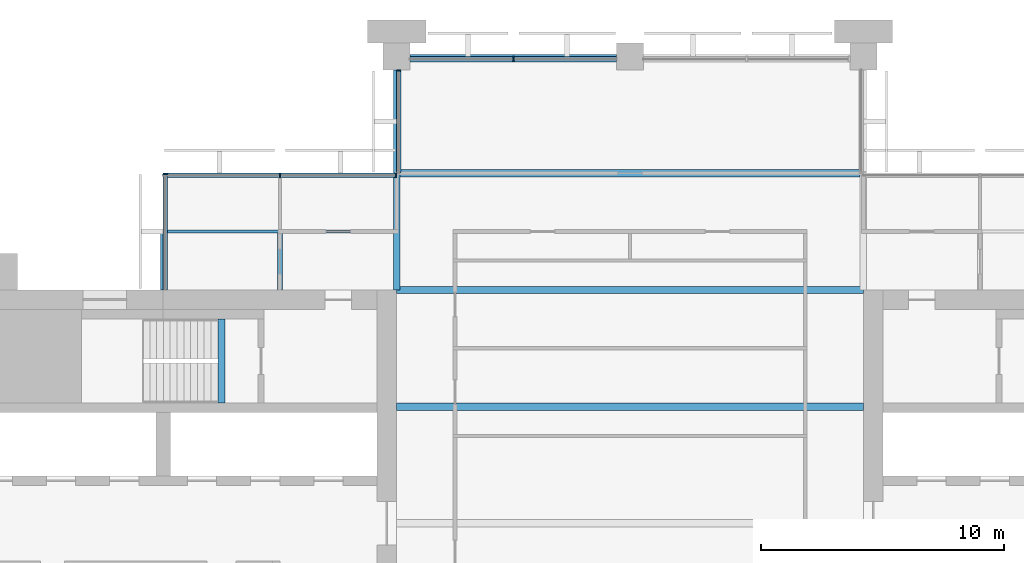
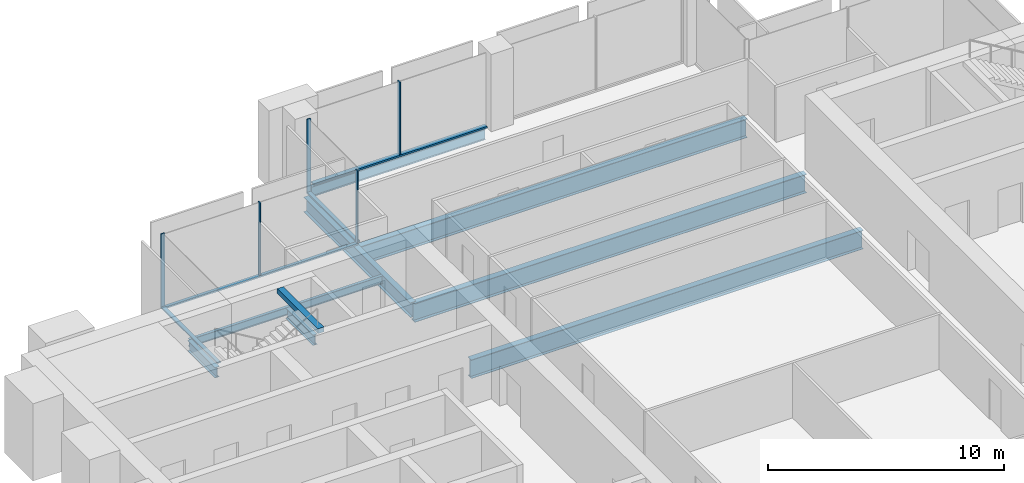
# One storey, part 5 of 13: 9 beams, 9 members, 4 elements without a shape of their own.
"""IFC4 building model written with IfcOpenShell, lengths in metres."""

from ifc_helpers import new_model, si_unit, direction, frame, origin, origin_2d, place, context, subcontext, project, spatial, rectangle, i_section, extrude, material, material_profile, profile_set, type_object, element, aggregate, save


model = new_model("IFC4")

# Units and contexts
model_context = context("Model", 3, precision=1e-05, world=origin(), true_north=direction((0.0, 1.0)))
body_context = subcontext(model_context, "Body", "Model", "MODEL_VIEW")
ifc_project = project(units=[si_unit("LENGTHUNIT", "METRE"), si_unit("AREAUNIT", "SQUARE_METRE"), si_unit("VOLUMEUNIT", "CUBIC_METRE"), si_unit("PLANEANGLEUNIT", "RADIAN"), si_unit("MASSUNIT", "GRAM", prefix="KILO")], contexts=[model_context])

# Site, building, storey
site_placement = place(None, origin())
site = spatial("IfcSite", under=ifc_project, at=site_placement, CompositionType="ELEMENT")
building_placement = place(site_placement, origin())
building = spatial("IfcBuilding", under=site, at=building_placement, Name="Baori Bourse Tower", CompositionType="ELEMENT")
storey_placement = place(building_placement, frame((0.0, 0.0, 241.199951171875)))
storey = spatial("IfcBuildingStorey", under=building, at=storey_placement, Name="L53", CompositionType="ELEMENT", Elevation=241.199951171875)

# Curtain wall, member
ifc_material_1 = material(Name="Pale anodised aluminium", Category="aluminium")
curtain_wall_type_1 = type_object("IfcCurtainWallType", Name="CW2 Curtain wall", PredefinedType="NOTDEFINED", material=ifc_material_1)
curtain_wall_1_placement = place(storey_placement, origin())
curtain_wall_1 = element("IfcCurtainWall", 1, at=curtain_wall_1_placement, inside=storey, type_object=curtain_wall_type_1, Name="Curtain wall CW2 L53 5", PredefinedType="NOTDEFINED")
ifc_material_2 = material(Name="Pale anodised aluminium", Category="aluminium")
ifc_material_profile_1 = material_profile(ifc_material_2, rectangle(XDim=0.179931640625, YDim=0.054931640625, at=origin_2d()), Name="Mullion 55x180")
ifc_profile_set_1 = profile_set([ifc_material_profile_1], Name="Pale anodised aluminium")
member_type_1 = type_object("IfcMemberType", Name="CW2 Curtain wall mullion", PredefinedType="MULLION", material=ifc_profile_set_1)
member_1_placement = place(storey_placement, frame((19.2900390625, 47.422607421875, 0.070068359375), z_axis=(0.0, 0.0, 1.0), x_axis=(1.0, 0.0, 0.0)))
member_1 = element("IfcMember", 2, at=member_1_placement, type_object=member_type_1, Name="Curtain wall CW2 mullion", PredefinedType="MULLION", context=body_context, shape_type="SweptSolid", body=[
    extrude(rectangle(XDim=0.179931640625, YDim=0.054931640625, at=origin_2d()), origin(), (0.0, 0.0, 1.0), 3.77001953125),
])

# Curtain wall, members
curtain_wall_2_placement = place(storey_placement, origin())
curtain_wall_2 = element("IfcCurtainWall", 3, at=curtain_wall_2_placement, inside=storey, type_object=curtain_wall_type_1, Name="Curtain wall CW2 L53 6", PredefinedType="NOTDEFINED")
member_2_placement = place(storey_placement, frame((19.172607421875, 43.110107421875, 0.070068359375), z_axis=(0.0, 0.0, 1.0), x_axis=(0.0, -1.0, 0.0)))
member_2 = element("IfcMember", 4, at=member_2_placement, type_object=member_type_1, Name="Curtain wall CW2 mullion", PredefinedType="MULLION", context=body_context, shape_type="SweptSolid", body=[
    extrude(rectangle(XDim=0.179931640625, YDim=0.054931640625, at=origin_2d()), origin(), (0.0, 0.0, 1.0), 3.77001953125),
])
member_3_placement = place(storey_placement, frame((14.39990234375, 43.110107421875, 0.070068359375), z_axis=(0.0, 0.0, 1.0), x_axis=(0.0, -1.0, 0.0)))
member_3 = element("IfcMember", 5, at=member_3_placement, type_object=member_type_1, Name="Curtain wall CW2 mullion", PredefinedType="MULLION", context=body_context, shape_type="SweptSolid", body=[
    extrude(rectangle(XDim=0.179931640625, YDim=0.054931640625, at=origin_2d()), origin(), (0.0, 0.0, 1.0), 3.77001953125),
])

# Curtain wall, member
curtain_wall_3_placement = place(storey_placement, origin())
curtain_wall_3 = element("IfcCurtainWall", 6, at=curtain_wall_3_placement, inside=storey, type_object=curtain_wall_type_1, Name="Curtain wall CW2 L53 7", PredefinedType="NOTDEFINED")
member_4_placement = place(storey_placement, frame((9.68994140625, 43.172607421875, 0.070068359375), z_axis=(0.0, 0.0, 1.0), x_axis=(1.0, 0.0, 0.0)))
member_4 = element("IfcMember", 7, at=member_4_placement, type_object=member_type_1, Name="Curtain wall CW2 mullion", PredefinedType="MULLION", context=body_context, shape_type="SweptSolid", body=[
    extrude(rectangle(XDim=0.179931640625, YDim=0.054931640625, at=origin_2d()), origin(), (0.0, 0.0, 1.0), 3.77001953125),
])

# Member
ifc_material_3 = material(Name="Pale anodised aluminium", Category="aluminium")
ifc_material_profile_2 = material_profile(ifc_material_3, rectangle(XDim=0.179931640625, YDim=0.070068359375, at=origin_2d()), Name="Transom 70x180")
ifc_profile_set_2 = profile_set([ifc_material_profile_2], Name="Pale anodised aluminium")
member_type_2 = type_object("IfcMemberType", Name="CW2 Curtain wall transom", PredefinedType="USERDEFINED", material=ifc_profile_set_2)
member_5_placement = place(storey_placement, frame((19.2900390625, 47.449951171875, 0.03515625), z_axis=(0.0, -1.0, 0.0), x_axis=(1.0, 0.0, 0.0)))
member_5 = element("IfcMember", 8, at=member_5_placement, type_object=member_type_2, Name="Curtain wall CW2 sill rail", ObjectType="TRANSOM", PredefinedType="USERDEFINED", context=body_context, shape_type="SweptSolid", body=[
    extrude(rectangle(XDim=0.179931640625, YDim=0.070068359375, at=origin_2d()), origin(), (0.0, 0.0, 1.0), 4.25),
])

aggregate(curtain_wall_1, [member_5, member_1])

member_6_placement = place(storey_placement, frame((19.199951171875, 43.110107421875, 0.03515625), z_axis=(-1.0, 0.0, 0.0), x_axis=(0.0, -1.0, 0.0)))
member_6 = element("IfcMember", 9, at=member_6_placement, type_object=member_type_2, Name="Curtain wall CW2 sill rail", ObjectType="TRANSOM", PredefinedType="USERDEFINED", context=body_context, shape_type="SweptSolid", body=[
    extrude(rectangle(XDim=0.179931640625, YDim=0.070068359375, at=origin_2d()), origin(), (0.0, 0.0, 1.0), 9.599853515625),
])

aggregate(curtain_wall_2, [member_6, member_2, member_3])

member_7_placement = place(storey_placement, frame((9.68994140625, 43.199951171875, 0.03515625), z_axis=(0.0, -1.0, 0.0), x_axis=(1.0, 0.0, 0.0)))
member_7 = element("IfcMember", 10, at=member_7_placement, type_object=member_type_2, Name="Curtain wall CW2 sill rail", ObjectType="TRANSOM", PredefinedType="USERDEFINED", context=body_context, shape_type="SweptSolid", body=[
    extrude(rectangle(XDim=0.179931640625, YDim=0.070068359375, at=origin_2d()), origin(), (0.0, 0.0, 1.0), 4.800048828125),
])

aggregate(curtain_wall_3, [member_7, member_4])

# Curtain wall, members
ifc_material_4 = material(Name="Pale anodised aluminium", Category="aluminium")
curtain_wall_type_2 = type_object("IfcCurtainWallType", Name="CW5 Curtain wall", PredefinedType="NOTDEFINED", material=ifc_material_4)
curtain_wall_4_placement = place(storey_placement, origin())
curtain_wall_4 = element("IfcCurtainWall", 11, at=curtain_wall_4_placement, inside=storey, type_object=curtain_wall_type_2, Name="Curtain wall CW5 L53 4", PredefinedType="NOTDEFINED")
ifc_material_5 = material(Name="Pale anodised aluminium", Category="aluminium")
ifc_material_profile_3 = material_profile(ifc_material_5, rectangle(XDim=0.219970703125, YDim=0.06494140625, at=origin_2d()), Name="Mullion 65x220")
ifc_profile_set_3 = profile_set([ifc_material_profile_3], Name="Pale anodised aluminium")
member_type_3 = type_object("IfcMemberType", Name="CW5 Curtain wall mullion", PredefinedType="MULLION", material=ifc_profile_set_3)
member_8_placement = place(storey_placement, frame((24.0, 47.889892578125, 0.0849609375), z_axis=(0.0, 0.0, 1.0), x_axis=(0.0, -1.0, 0.0)))
member_8 = element("IfcMember", 12, at=member_8_placement, type_object=member_type_3, Name="Curtain wall CW5 mullion", PredefinedType="MULLION", context=body_context, shape_type="SweptSolid", body=[
    extrude(rectangle(XDim=0.219970703125, YDim=0.06494140625, at=origin_2d()), origin(), (0.0, 0.0, 1.0), 3.755126953125),
])
ifc_material_6 = material(Name="Pale anodised aluminium", Category="aluminium")
ifc_material_profile_4 = material_profile(ifc_material_6, rectangle(XDim=0.219970703125, YDim=0.0849609375, at=origin_2d()), Name="Transom 85x220")
ifc_profile_set_4 = profile_set([ifc_material_profile_4], Name="Pale anodised aluminium")
member_type_4 = type_object("IfcMemberType", Name="CW5 Curtain wall transom", PredefinedType="USERDEFINED", material=ifc_profile_set_4)
member_9_placement = place(storey_placement, frame((28.25, 47.889892578125, 0.04248046875), z_axis=(-1.0, 0.0, 0.0), x_axis=(0.0, -1.0, 0.0)))
member_9 = element("IfcMember", 13, at=member_9_placement, type_object=member_type_4, Name="Curtain wall CW5 sill rail", ObjectType="TRANSOM", PredefinedType="USERDEFINED", context=body_context, shape_type="SweptSolid", body=[
    extrude(rectangle(XDim=0.219970703125, YDim=0.0849609375, at=origin_2d()), origin(), (0.0, 0.0, 1.0), 8.5),
])
aggregate(curtain_wall_4, [member_9, member_8])

# Beams
ifc_material_7 = material(Name="Steel A992 Gr 50", Category="steel")
ifc_material_profile_5 = material_profile(ifc_material_7, i_section(OverallWidth=0.21240234375, OverallDepth=0.54345703125, WebThickness=0.01318359375, FlangeThickness=0.021240234375, at=origin_2d()), Name="W21x83")
ifc_profile_set_5 = profile_set([ifc_material_profile_5], Name="Steel A992 Gr 50")
beam_type_1 = type_object("IfcBeamType", Name="Core bracket W21x83", PredefinedType="BEAM", material=ifc_profile_set_5)
for number, where, z_axis, x_axis, name in (
    (14, (9.60009765625, 38.39990234375, -0.431640625), (0.0, 1.0, 0.0), (-1.0, 0.0, 0.0), "Core bracket L53"),
    (15, (14.39990234375, 38.39990234375, -0.431640625), (0.0, 1.0, 0.0), (-1.0, 0.0, 0.0), "Core bracket L53"),
):
    element("IfcBeam", number, at=place(storey_placement, frame(where, z_axis=z_axis, x_axis=x_axis)), inside=storey, type_object=beam_type_1, Name=name, PredefinedType="BEAM", context=body_context, shape_type="SweptSolid", body=[
        extrude(i_section(OverallWidth=0.21240234375, OverallDepth=0.54345703125, WebThickness=0.01318359375, FlangeThickness=0.021240234375, at=origin_2d()), origin(), (0.0, 0.0, 1.0), 2.329833984375),
    ])
ifc_material_8 = material(Name="Steel A992 Gr 50", Category="steel")
ifc_material_profile_6 = material_profile(ifc_material_8, i_section(OverallWidth=0.1650390625, OverallDepth=0.52587890625, WebThickness=0.0087890625, FlangeThickness=0.011474609375, at=origin_2d()), Name="W21x44")
ifc_profile_set_6 = profile_set([ifc_material_profile_6], Name="Steel A992 Gr 50")
beam_type_2 = type_object("IfcBeamType", Name="Edge beam W21x44", PredefinedType="BEAM", material=ifc_profile_set_6)
beam_1_placement = place(storey_placement, frame((19.75, 48.0, -0.4228515625), z_axis=(1.0, 0.0, 0.0), x_axis=(0.0, 1.0, 0.0)))
element("IfcBeam", 16, at=beam_1_placement, inside=storey, type_object=beam_type_2, Name="Edge beam L53", PredefinedType="BEAM", context=body_context, shape_type="SweptSolid", body=[
    extrude(i_section(OverallWidth=0.1650390625, OverallDepth=0.52587890625, WebThickness=0.0087890625, FlangeThickness=0.011474609375, at=origin_2d()), origin(), (0.0, 0.0, 1.0), 8.5),
])
ifc_material_9 = material(Name="Steel A992 Gr 50", Category="steel")
ifc_material_profile_7 = material_profile(ifc_material_9, i_section(OverallWidth=0.2998046875, OverallDepth=0.97021484375, WebThickness=0.01611328125, FlangeThickness=0.02099609375, at=origin_2d()), Name="W40x149")
ifc_profile_set_7 = profile_set([ifc_material_profile_7], Name="Steel A992 Gr 50")
beam_type_3 = type_object("IfcBeamType", Name="Floor beam W40x149", PredefinedType="BEAM", material=ifc_profile_set_7)
for number, where, z_axis, x_axis, name in (
    (17, (19.199951171875, 33.60009765625, -0.64501953125), (1.0, 0.0, 0.0), (0.0, 1.0, 0.0), "Floor beam L53"),
    (18, (19.199951171875, 38.39990234375, -0.64501953125), (1.0, 0.0, 0.0), (0.0, 1.0, 0.0), "Floor beam L53"),
):
    element("IfcBeam", number, at=place(storey_placement, frame(where, z_axis=z_axis, x_axis=x_axis)), inside=storey, type_object=beam_type_3, Name=name, PredefinedType="BEAM", context=body_context, shape_type="SweptSolid", body=[
        extrude(i_section(OverallWidth=0.2998046875, OverallDepth=0.97021484375, WebThickness=0.01611328125, FlangeThickness=0.02099609375, at=origin_2d()), origin(), (0.0, 0.0, 1.0), 19.199951171875),
    ])
beam_2_placement = place(storey_placement, frame((19.333251953125, 43.199951171875, -0.64501953125), z_axis=(1.0, 0.0, 0.0), x_axis=(0.0, 1.0, 0.0)))
element("IfcBeam", 19, at=beam_2_placement, inside=storey, type_object=beam_type_3, Name="Floor beam L53", PredefinedType="BEAM", context=body_context, shape_type="SweptSolid", body=[
    extrude(i_section(OverallWidth=0.2998046875, OverallDepth=0.97021484375, WebThickness=0.01611328125, FlangeThickness=0.02099609375, at=origin_2d()), origin(), (0.0, 0.0, 1.0), 18.933349609375),
])
ifc_material_10 = material(Name="Steel A992 Gr 50", Category="steel")
ifc_material_profile_8 = material_profile(ifc_material_10, i_section(OverallWidth=0.2666015625, OverallDepth=0.76953125, WebThickness=0.015625, FlangeThickness=0.025390625, at=origin_2d()), Name="W30x132")
ifc_profile_set_8 = profile_set([ifc_material_profile_8], Name="Steel A992 Gr 50")
beam_type_4 = type_object("IfcBeamType", Name="Girder W30x132", PredefinedType="BEAM", material=ifc_profile_set_8)
beam_3_placement = place(storey_placement, frame((19.199951171875, 38.39990234375, -0.544677734375), z_axis=(0.0, 1.0, 0.0), x_axis=(-1.0, 0.0, 0.0)))
element("IfcBeam", 20, at=beam_3_placement, inside=storey, type_object=beam_type_4, Name="Girder L53", PredefinedType="BEAM", context=body_context, shape_type="SweptSolid", body=[
    extrude(i_section(OverallWidth=0.2666015625, OverallDepth=0.76953125, WebThickness=0.015625, FlangeThickness=0.025390625, at=origin_2d()), origin(), (0.0, 0.0, 1.0), 9.050048828125),
])
ifc_material_11 = material(Name="Concrete f'c 50 MPa", Category="concrete")
ifc_material_profile_9 = material_profile(ifc_material_11, rectangle(XDim=0.300048828125, YDim=0.25, at=origin_2d()), Name="RC 300x250")
ifc_profile_set_9 = profile_set([ifc_material_profile_9], Name="Concrete f'c 50 MPa")
beam_type_5 = type_object("IfcBeamType", Name="Stair nib beam RC 300x250", PredefinedType="BEAM", material=ifc_profile_set_9)
beam_4_placement = place(storey_placement, frame((12.0, 33.75, 3.715087890625), z_axis=(0.0, 1.0, 0.0), x_axis=(-1.0, 0.0, 0.0)))
element("IfcBeam", 21, at=beam_4_placement, inside=storey, type_object=beam_type_5, Name="Stair WB nib beam L54", PredefinedType="BEAM", context=body_context, shape_type="SweptSolid", body=[
    extrude(rectangle(XDim=0.300048828125, YDim=0.25, at=origin_2d()), origin(), (0.0, 0.0, 1.0), 3.449951171875),
])
ifc_material_12 = material(Name="Steel A992 Gr 50", Category="steel")
ifc_material_profile_10 = material_profile(ifc_material_12, i_section(OverallWidth=0.140380859375, OverallDepth=0.40380859375, WebThickness=0.007080078125, FlangeThickness=0.01123046875, at=origin_2d()), Name="W16x31")
ifc_profile_set_10 = profile_set([ifc_material_profile_10], Name="Steel A992 Gr 50")
beam_type_6 = type_object("IfcBeamType", Name="Trimmer beam W16x31", PredefinedType="BEAM", material=ifc_profile_set_10)
beam_5_placement = place(storey_placement, frame((9.60009765625, 40.800048828125, -0.36181640625), z_axis=(1.0, 0.0, 0.0), x_axis=(0.0, 1.0, 0.0)))
element("IfcBeam", 22, at=beam_5_placement, inside=storey, type_object=beam_type_6, Name="Trimmer beam L53", PredefinedType="BEAM", context=body_context, shape_type="SweptSolid", body=[
    extrude(i_section(OverallWidth=0.140380859375, OverallDepth=0.40380859375, WebThickness=0.007080078125, FlangeThickness=0.01123046875, at=origin_2d()), origin(), (0.0, 0.0, 1.0), 9.466552734375),
])

save(model, "model.ifc")
